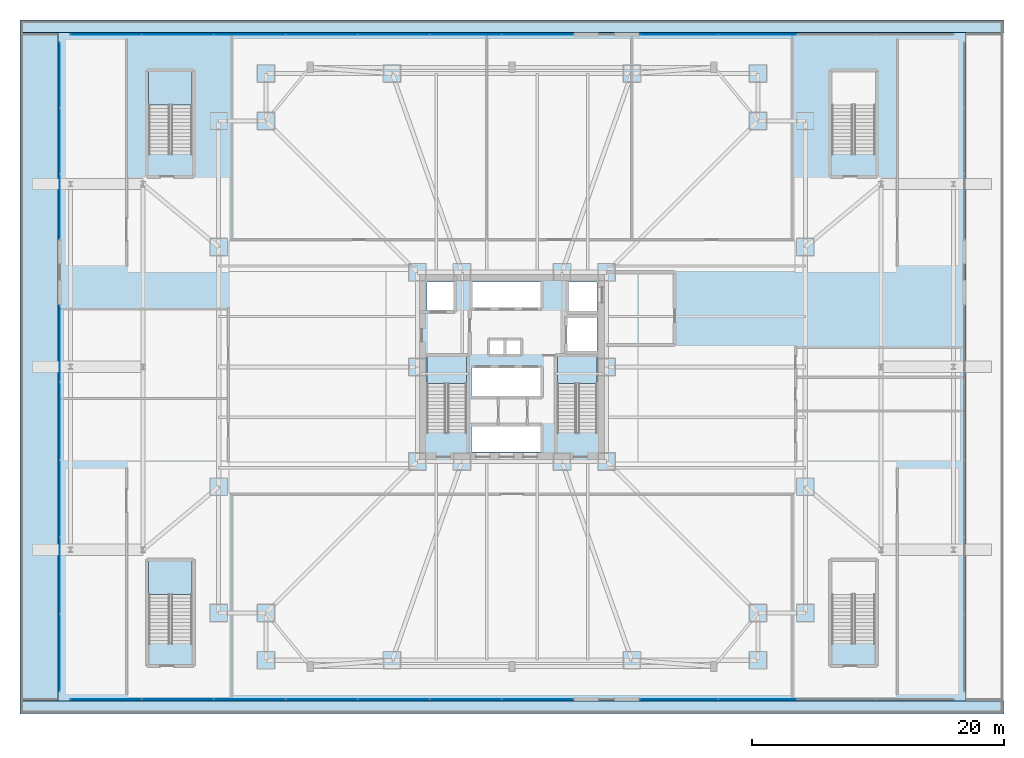
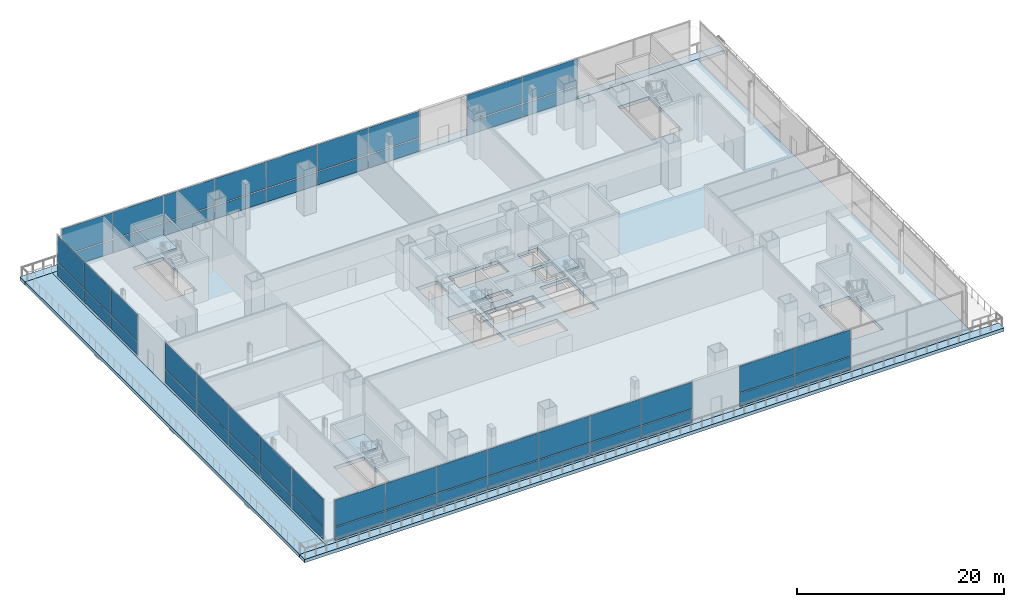
# One storey, part 20 of 35: 52 plates, 8 slabs, 10 elements without a shape of their own.
"""IFC4 building model written with IfcOpenShell, lengths in metres."""

from ifc_helpers import new_model, si_unit, direction, frame, origin, origin_2d, place, context, subcontext, project, spatial, polyline, rectangle, outline, extrude, material, layer, layer_set, type_object, element, aggregate, save


model = new_model("IFC4")

# Units and contexts
model_context = context("Model", 3, precision=1e-05, world=origin(), true_north=direction((0.0, 1.0)))
body_context = subcontext(model_context, "Body", "Model", "MODEL_VIEW")
ifc_project = project(units=[si_unit("LENGTHUNIT", "METRE"), si_unit("AREAUNIT", "SQUARE_METRE"), si_unit("VOLUMEUNIT", "CUBIC_METRE"), si_unit("PLANEANGLEUNIT", "RADIAN"), si_unit("MASSUNIT", "GRAM", prefix="KILO")], contexts=[model_context])

# Site, building, storey
site_placement = place(None, origin())
site = spatial("IfcSite", under=ifc_project, at=site_placement, CompositionType="ELEMENT")
building_placement = place(site_placement, origin())
building = spatial("IfcBuilding", under=site, at=building_placement, Name="Trevonay Congress Spire", CompositionType="ELEMENT")
storey_placement = place(building_placement, frame((0.0, 0.0, 10.800048828125)))
storey = spatial("IfcBuildingStorey", under=building, at=storey_placement, Name="L02", CompositionType="ELEMENT", Elevation=10.800048828125)

# Curtain wall, plates
ifc_material_1 = material(Name="Pale Anodised Aluminium EN AW-6063-T6", Category="aluminium")
ifc_layer_1 = layer(ifc_material_1, 0.179931640625, Name="Pale Anodised Aluminium EN AW-6063-T6")
ifc_layer_set_1 = layer_set([ifc_layer_1], Name="Pale Anodised Aluminium EN AW-6063-T6")
curtain_wall_type = type_object("IfcCurtainWallType", Name="CW-SYS01-PODIUM-PALE-METAL", PredefinedType="NOTDEFINED", material=ifc_layer_set_1)
curtain_wall_1_placement = place(storey_placement, origin())
curtain_wall_1 = element("IfcCurtainWall", 1, at=curtain_wall_1_placement, inside=storey, type_object=curtain_wall_type, Name="L02 W1 podium curtain wall", PredefinedType="NOTDEFINED")
ifc_material_2 = material(Name="Insulated Low-E Vision Glass IGU", Category="glass")
ifc_layer_2 = layer(ifc_material_2, 0.035888671875, Name="Insulated Low-E Vision Glass IGU")
ifc_layer_set_2 = layer_set([ifc_layer_2], Name="Insulated Low-E Vision Glass IGU")
plate_type = type_object("IfcPlateType", Name="CW-PANEL-IGU36-SILVER", PredefinedType="CURTAIN_PANEL", material=ifc_layer_set_2)
plate_1_placement = place(storey_placement, frame((-35.85009765625, -22.669921875, 0.119873046875), z_axis=(0.0, 0.0, 1.0), x_axis=(0.0, 1.0, 0.0)))
plate_1 = element("IfcPlate", 2, at=plate_1_placement, type_object=plate_type, Name="CW01 panel 1.1", PredefinedType="CURTAIN_PANEL", context=body_context, shape_type="SweptSolid", body=[
    extrude(rectangle(XDim=6.0400390625, YDim=0.035888671875, at=origin_2d()), origin(), (0.0, 0.0, 1.0), 1.52001953125),
])
plate_2_placement = place(storey_placement, frame((-35.85009765625, -22.669921875, 1.760009765625), z_axis=(0.0, 0.0, 1.0), x_axis=(0.0, 1.0, 0.0)))
plate_2 = element("IfcPlate", 3, at=plate_2_placement, type_object=plate_type, Name="CW01 panel 1.2", PredefinedType="CURTAIN_PANEL", context=body_context, shape_type="SweptSolid", body=[
    extrude(rectangle(XDim=6.0400390625, YDim=0.035888671875, at=origin_2d()), origin(), (0.0, 0.0, 1.0), 3.1201171875),
])
plate_3_placement = place(storey_placement, frame((-35.85009765625, -16.554931640625, 0.119873046875), z_axis=(0.0, 0.0, 1.0), x_axis=(0.0, 1.0, 0.0)))
plate_3 = element("IfcPlate", 4, at=plate_3_placement, type_object=plate_type, Name="CW01 panel 2.1", PredefinedType="CURTAIN_PANEL", context=body_context, shape_type="SweptSolid", body=[
    extrude(rectangle(XDim=6.070068359375, YDim=0.035888671875, at=origin_2d()), origin(), (0.0, 0.0, 1.0), 1.52001953125),
])
plate_4_placement = place(storey_placement, frame((-35.85009765625, -16.554931640625, 1.760009765625), z_axis=(0.0, 0.0, 1.0), x_axis=(0.0, 1.0, 0.0)))
plate_4 = element("IfcPlate", 5, at=plate_4_placement, type_object=plate_type, Name="CW01 panel 2.2", PredefinedType="CURTAIN_PANEL", context=body_context, shape_type="SweptSolid", body=[
    extrude(rectangle(XDim=6.070068359375, YDim=0.035888671875, at=origin_2d()), origin(), (0.0, 0.0, 1.0), 3.1201171875),
])
plate_5_placement = place(storey_placement, frame((-35.85009765625, -10.425048828125, 0.119873046875), z_axis=(0.0, 0.0, 1.0), x_axis=(0.0, 1.0, 0.0)))
plate_5 = element("IfcPlate", 6, at=plate_5_placement, type_object=plate_type, Name="CW01 panel 3.1", PredefinedType="CURTAIN_PANEL", context=body_context, shape_type="SweptSolid", body=[
    extrude(rectangle(XDim=6.070068359375, YDim=0.035888671875, at=origin_2d()), origin(), (0.0, 0.0, 1.0), 1.52001953125),
])
plate_6_placement = place(storey_placement, frame((-35.85009765625, -10.425048828125, 1.760009765625), z_axis=(0.0, 0.0, 1.0), x_axis=(0.0, 1.0, 0.0)))
plate_6 = element("IfcPlate", 7, at=plate_6_placement, type_object=plate_type, Name="CW01 panel 3.2", PredefinedType="CURTAIN_PANEL", context=body_context, shape_type="SweptSolid", body=[
    extrude(rectangle(XDim=6.070068359375, YDim=0.035888671875, at=origin_2d()), origin(), (0.0, 0.0, 1.0), 3.1201171875),
])
plate_7_placement = place(storey_placement, frame((-35.85009765625, -4.294921875, 0.119873046875), z_axis=(0.0, 0.0, 1.0), x_axis=(0.0, 1.0, 0.0)))
plate_7 = element("IfcPlate", 8, at=plate_7_placement, type_object=plate_type, Name="CW01 panel 4.1", PredefinedType="CURTAIN_PANEL", context=body_context, shape_type="SweptSolid", body=[
    extrude(rectangle(XDim=6.070068359375, YDim=0.035888671875, at=origin_2d()), origin(), (0.0, 0.0, 1.0), 1.52001953125),
])
plate_8_placement = place(storey_placement, frame((-35.85009765625, -4.294921875, 1.760009765625), z_axis=(0.0, 0.0, 1.0), x_axis=(0.0, 1.0, 0.0)))
plate_8 = element("IfcPlate", 9, at=plate_8_placement, type_object=plate_type, Name="CW01 panel 4.2", PredefinedType="CURTAIN_PANEL", context=body_context, shape_type="SweptSolid", body=[
    extrude(rectangle(XDim=6.070068359375, YDim=0.035888671875, at=origin_2d()), origin(), (0.0, 0.0, 1.0), 3.1201171875),
])
plate_9_placement = place(storey_placement, frame((-35.85009765625, 1.820068359375, 0.119873046875), z_axis=(0.0, 0.0, 1.0), x_axis=(0.0, 1.0, 0.0)))
plate_9 = element("IfcPlate", 10, at=plate_9_placement, type_object=plate_type, Name="CW01 panel 5.1", PredefinedType="CURTAIN_PANEL", context=body_context, shape_type="SweptSolid", body=[
    extrude(rectangle(XDim=6.0400390625, YDim=0.035888671875, at=origin_2d()), origin(), (0.0, 0.0, 1.0), 1.52001953125),
])
plate_10_placement = place(storey_placement, frame((-35.85009765625, 1.820068359375, 1.760009765625), z_axis=(0.0, 0.0, 1.0), x_axis=(0.0, 1.0, 0.0)))
plate_10 = element("IfcPlate", 11, at=plate_10_placement, type_object=plate_type, Name="CW01 panel 5.2", PredefinedType="CURTAIN_PANEL", context=body_context, shape_type="SweptSolid", body=[
    extrude(rectangle(XDim=6.0400390625, YDim=0.035888671875, at=origin_2d()), origin(), (0.0, 0.0, 1.0), 3.1201171875),
])
aggregate(curtain_wall_1, [plate_1, plate_2, plate_3, plate_4, plate_5, plate_6, plate_7, plate_8, plate_9, plate_10])

curtain_wall_2_placement = place(storey_placement, origin())
curtain_wall_2 = element("IfcCurtainWall", 12, at=curtain_wall_2_placement, inside=storey, type_object=curtain_wall_type, Name="L02 W2 podium curtain wall", PredefinedType="NOTDEFINED")
plate_11_placement = place(storey_placement, frame((-35.85009765625, 12.723388671875, 0.119873046875), z_axis=(0.0, 0.0, 1.0), x_axis=(0.0, 1.0, 0.0)))
plate_11 = element("IfcPlate", 13, at=plate_11_placement, type_object=plate_type, Name="CW01 panel 1.1", PredefinedType="CURTAIN_PANEL", context=body_context, shape_type="SweptSolid", body=[
    extrude(rectangle(XDim=5.126708984375, YDim=0.035888671875, at=origin_2d()), origin(), (0.0, 0.0, 1.0), 1.52001953125),
])
plate_12_placement = place(storey_placement, frame((-35.85009765625, 12.723388671875, 1.760009765625), z_axis=(0.0, 0.0, 1.0), x_axis=(0.0, 1.0, 0.0)))
plate_12 = element("IfcPlate", 14, at=plate_12_placement, type_object=plate_type, Name="CW01 panel 1.2", PredefinedType="CURTAIN_PANEL", context=body_context, shape_type="SweptSolid", body=[
    extrude(rectangle(XDim=5.126708984375, YDim=0.035888671875, at=origin_2d()), origin(), (0.0, 0.0, 1.0), 3.1201171875),
])
plate_13_placement = place(storey_placement, frame((-35.85009765625, 17.925048828125, 0.119873046875), z_axis=(0.0, 0.0, 1.0), x_axis=(0.0, 1.0, 0.0)))
plate_13 = element("IfcPlate", 15, at=plate_13_placement, type_object=plate_type, Name="CW01 panel 2.1", PredefinedType="CURTAIN_PANEL", context=body_context, shape_type="SweptSolid", body=[
    extrude(rectangle(XDim=5.15673828125, YDim=0.035888671875, at=origin_2d()), origin(), (0.0, 0.0, 1.0), 1.52001953125),
])
plate_14_placement = place(storey_placement, frame((-35.85009765625, 17.925048828125, 1.760009765625), z_axis=(0.0, 0.0, 1.0), x_axis=(0.0, 1.0, 0.0)))
plate_14 = element("IfcPlate", 16, at=plate_14_placement, type_object=plate_type, Name="CW01 panel 2.2", PredefinedType="CURTAIN_PANEL", context=body_context, shape_type="SweptSolid", body=[
    extrude(rectangle(XDim=5.15673828125, YDim=0.035888671875, at=origin_2d()), origin(), (0.0, 0.0, 1.0), 3.1201171875),
])
plate_15_placement = place(storey_placement, frame((-35.85009765625, 23.126708984375, 0.119873046875), z_axis=(0.0, 0.0, 1.0), x_axis=(0.0, 1.0, 0.0)))
plate_15 = element("IfcPlate", 17, at=plate_15_placement, type_object=plate_type, Name="CW01 panel 3.1", PredefinedType="CURTAIN_PANEL", context=body_context, shape_type="SweptSolid", body=[
    extrude(rectangle(XDim=5.126708984375, YDim=0.035888671875, at=origin_2d()), origin(), (0.0, 0.0, 1.0), 1.52001953125),
])
plate_16_placement = place(storey_placement, frame((-35.85009765625, 23.126708984375, 1.760009765625), z_axis=(0.0, 0.0, 1.0), x_axis=(0.0, 1.0, 0.0)))
plate_16 = element("IfcPlate", 18, at=plate_16_placement, type_object=plate_type, Name="CW01 panel 3.2", PredefinedType="CURTAIN_PANEL", context=body_context, shape_type="SweptSolid", body=[
    extrude(rectangle(XDim=5.126708984375, YDim=0.035888671875, at=origin_2d()), origin(), (0.0, 0.0, 1.0), 3.1201171875),
])
aggregate(curtain_wall_2, [plate_11, plate_12, plate_13, plate_14, plate_15, plate_16])

curtain_wall_3_placement = place(storey_placement, origin())
curtain_wall_3 = element("IfcCurtainWall", 19, at=curtain_wall_3_placement, inside=storey, type_object=curtain_wall_type, Name="L02 S1 podium curtain wall", PredefinedType="NOTDEFINED")
plate_17_placement = place(storey_placement, frame((-32.181396484375, -26.35009765625, 0.119873046875), z_axis=(0.0, 0.0, 1.0), x_axis=(1.0, 0.0, 0.0)))
plate_17 = element("IfcPlate", 20, at=plate_17_placement, type_object=plate_type, Name="CW01 panel 1.1", PredefinedType="CURTAIN_PANEL", context=body_context, shape_type="SweptSolid", body=[
    extrude(rectangle(XDim=5.6171875, YDim=0.035888671875, at=origin_2d()), origin(), (0.0, 0.0, 1.0), 1.52001953125),
])
plate_18_placement = place(storey_placement, frame((-32.181396484375, -26.35009765625, 1.760009765625), z_axis=(0.0, 0.0, 1.0), x_axis=(1.0, 0.0, 0.0)))
plate_18 = element("IfcPlate", 21, at=plate_18_placement, type_object=plate_type, Name="CW01 panel 1.2", PredefinedType="CURTAIN_PANEL", context=body_context, shape_type="SweptSolid", body=[
    extrude(rectangle(XDim=5.6171875, YDim=0.035888671875, at=origin_2d()), origin(), (0.0, 0.0, 1.0), 3.1201171875),
])
plate_19_placement = place(storey_placement, frame((-26.4892578125, -26.35009765625, 0.119873046875), z_axis=(0.0, 0.0, 1.0), x_axis=(1.0, 0.0, 0.0)))
plate_19 = element("IfcPlate", 22, at=plate_19_placement, type_object=plate_type, Name="CW01 panel 2.1", PredefinedType="CURTAIN_PANEL", context=body_context, shape_type="SweptSolid", body=[
    extrude(rectangle(XDim=5.647216796875, YDim=0.035888671875, at=origin_2d()), origin(), (0.0, 0.0, 1.0), 1.52001953125),
])
plate_20_placement = place(storey_placement, frame((-26.4892578125, -26.35009765625, 1.760009765625), z_axis=(0.0, 0.0, 1.0), x_axis=(1.0, 0.0, 0.0)))
plate_20 = element("IfcPlate", 23, at=plate_20_placement, type_object=plate_type, Name="CW01 panel 2.2", PredefinedType="CURTAIN_PANEL", context=body_context, shape_type="SweptSolid", body=[
    extrude(rectangle(XDim=5.647216796875, YDim=0.035888671875, at=origin_2d()), origin(), (0.0, 0.0, 1.0), 3.1201171875),
])
plate_21_placement = place(storey_placement, frame((-20.7822265625, -26.35009765625, 0.119873046875), z_axis=(0.0, 0.0, 1.0), x_axis=(1.0, 0.0, 0.0)))
plate_21 = element("IfcPlate", 24, at=plate_21_placement, type_object=plate_type, Name="CW01 panel 3.1", PredefinedType="CURTAIN_PANEL", context=body_context, shape_type="SweptSolid", body=[
    extrude(rectangle(XDim=5.647216796875, YDim=0.035888671875, at=origin_2d()), origin(), (0.0, 0.0, 1.0), 1.52001953125),
])
plate_22_placement = place(storey_placement, frame((-20.7822265625, -26.35009765625, 1.760009765625), z_axis=(0.0, 0.0, 1.0), x_axis=(1.0, 0.0, 0.0)))
plate_22 = element("IfcPlate", 25, at=plate_22_placement, type_object=plate_type, Name="CW01 panel 3.2", PredefinedType="CURTAIN_PANEL", context=body_context, shape_type="SweptSolid", body=[
    extrude(rectangle(XDim=5.647216796875, YDim=0.035888671875, at=origin_2d()), origin(), (0.0, 0.0, 1.0), 3.1201171875),
])
plate_23_placement = place(storey_placement, frame((-15.074951171875, -26.35009765625, 0.119873046875), z_axis=(0.0, 0.0, 1.0), x_axis=(1.0, 0.0, 0.0)))
plate_23 = element("IfcPlate", 26, at=plate_23_placement, type_object=plate_type, Name="CW01 panel 4.1", PredefinedType="CURTAIN_PANEL", context=body_context, shape_type="SweptSolid", body=[
    extrude(rectangle(XDim=5.647216796875, YDim=0.035888671875, at=origin_2d()), origin(), (0.0, 0.0, 1.0), 1.52001953125),
])
plate_24_placement = place(storey_placement, frame((-15.074951171875, -26.35009765625, 1.760009765625), z_axis=(0.0, 0.0, 1.0), x_axis=(1.0, 0.0, 0.0)))
plate_24 = element("IfcPlate", 27, at=plate_24_placement, type_object=plate_type, Name="CW01 panel 4.2", PredefinedType="CURTAIN_PANEL", context=body_context, shape_type="SweptSolid", body=[
    extrude(rectangle(XDim=5.647216796875, YDim=0.035888671875, at=origin_2d()), origin(), (0.0, 0.0, 1.0), 3.1201171875),
])
plate_25_placement = place(storey_placement, frame((-9.367919921875, -26.35009765625, 0.119873046875), z_axis=(0.0, 0.0, 1.0), x_axis=(1.0, 0.0, 0.0)))
plate_25 = element("IfcPlate", 28, at=plate_25_placement, type_object=plate_type, Name="CW01 panel 5.1", PredefinedType="CURTAIN_PANEL", context=body_context, shape_type="SweptSolid", body=[
    extrude(rectangle(XDim=5.647216796875, YDim=0.035888671875, at=origin_2d()), origin(), (0.0, 0.0, 1.0), 1.52001953125),
])
plate_26_placement = place(storey_placement, frame((-9.367919921875, -26.35009765625, 1.760009765625), z_axis=(0.0, 0.0, 1.0), x_axis=(1.0, 0.0, 0.0)))
plate_26 = element("IfcPlate", 29, at=plate_26_placement, type_object=plate_type, Name="CW01 panel 5.2", PredefinedType="CURTAIN_PANEL", context=body_context, shape_type="SweptSolid", body=[
    extrude(rectangle(XDim=5.647216796875, YDim=0.035888671875, at=origin_2d()), origin(), (0.0, 0.0, 1.0), 3.1201171875),
])
plate_27_placement = place(storey_placement, frame((-3.66064453125, -26.35009765625, 0.119873046875), z_axis=(0.0, 0.0, 1.0), x_axis=(1.0, 0.0, 0.0)))
plate_27 = element("IfcPlate", 30, at=plate_27_placement, type_object=plate_type, Name="CW01 panel 6.1", PredefinedType="CURTAIN_PANEL", context=body_context, shape_type="SweptSolid", body=[
    extrude(rectangle(XDim=5.647216796875, YDim=0.035888671875, at=origin_2d()), origin(), (0.0, 0.0, 1.0), 1.52001953125),
])
plate_28_placement = place(storey_placement, frame((-3.66064453125, -26.35009765625, 1.760009765625), z_axis=(0.0, 0.0, 1.0), x_axis=(1.0, 0.0, 0.0)))
plate_28 = element("IfcPlate", 31, at=plate_28_placement, type_object=plate_type, Name="CW01 panel 6.2", PredefinedType="CURTAIN_PANEL", context=body_context, shape_type="SweptSolid", body=[
    extrude(rectangle(XDim=5.647216796875, YDim=0.035888671875, at=origin_2d()), origin(), (0.0, 0.0, 1.0), 3.1201171875),
])
plate_29_placement = place(storey_placement, frame((2.031494140625, -26.35009765625, 0.119873046875), z_axis=(0.0, 0.0, 1.0), x_axis=(1.0, 0.0, 0.0)))
plate_29 = element("IfcPlate", 32, at=plate_29_placement, type_object=plate_type, Name="CW01 panel 7.1", PredefinedType="CURTAIN_PANEL", context=body_context, shape_type="SweptSolid", body=[
    extrude(rectangle(XDim=5.6171875, YDim=0.035888671875, at=origin_2d()), origin(), (0.0, 0.0, 1.0), 1.52001953125),
])
plate_30_placement = place(storey_placement, frame((2.031494140625, -26.35009765625, 1.760009765625), z_axis=(0.0, 0.0, 1.0), x_axis=(1.0, 0.0, 0.0)))
plate_30 = element("IfcPlate", 33, at=plate_30_placement, type_object=plate_type, Name="CW01 panel 7.2", PredefinedType="CURTAIN_PANEL", context=body_context, shape_type="SweptSolid", body=[
    extrude(rectangle(XDim=5.6171875, YDim=0.035888671875, at=origin_2d()), origin(), (0.0, 0.0, 1.0), 3.1201171875),
])
aggregate(curtain_wall_3, [plate_17, plate_18, plate_19, plate_20, plate_21, plate_22, plate_23, plate_24, plate_25, plate_26, plate_27, plate_28, plate_29, plate_30])

curtain_wall_4_placement = place(storey_placement, origin())
curtain_wall_4 = element("IfcCurtainWall", 34, at=curtain_wall_4_placement, inside=storey, type_object=curtain_wall_type, Name="L02 S2 podium curtain wall", PredefinedType="NOTDEFINED")
plate_31_placement = place(storey_placement, frame((13.233642578125, -26.35009765625, 0.119873046875), z_axis=(0.0, 0.0, 1.0), x_axis=(1.0, 0.0, 0.0)))
plate_31 = element("IfcPlate", 35, at=plate_31_placement, type_object=plate_type, Name="CW01 panel 1.1", PredefinedType="CURTAIN_PANEL", context=body_context, shape_type="SweptSolid", body=[
    extrude(rectangle(XDim=6.1474609375, YDim=0.035888671875, at=origin_2d()), origin(), (0.0, 0.0, 1.0), 1.52001953125),
])
plate_32_placement = place(storey_placement, frame((13.233642578125, -26.35009765625, 1.760009765625), z_axis=(0.0, 0.0, 1.0), x_axis=(1.0, 0.0, 0.0)))
plate_32 = element("IfcPlate", 36, at=plate_32_placement, type_object=plate_type, Name="CW01 panel 1.2", PredefinedType="CURTAIN_PANEL", context=body_context, shape_type="SweptSolid", body=[
    extrude(rectangle(XDim=6.1474609375, YDim=0.035888671875, at=origin_2d()), origin(), (0.0, 0.0, 1.0), 3.1201171875),
])
plate_33_placement = place(storey_placement, frame((19.456298828125, -26.35009765625, 0.119873046875), z_axis=(0.0, 0.0, 1.0), x_axis=(1.0, 0.0, 0.0)))
plate_33 = element("IfcPlate", 37, at=plate_33_placement, type_object=plate_type, Name="CW01 panel 2.1", PredefinedType="CURTAIN_PANEL", context=body_context, shape_type="SweptSolid", body=[
    extrude(rectangle(XDim=6.177490234375, YDim=0.035888671875, at=origin_2d()), origin(), (0.0, 0.0, 1.0), 1.52001953125),
])
plate_34_placement = place(storey_placement, frame((19.456298828125, -26.35009765625, 1.760009765625), z_axis=(0.0, 0.0, 1.0), x_axis=(1.0, 0.0, 0.0)))
plate_34 = element("IfcPlate", 38, at=plate_34_placement, type_object=plate_type, Name="CW01 panel 2.2", PredefinedType="CURTAIN_PANEL", context=body_context, shape_type="SweptSolid", body=[
    extrude(rectangle(XDim=6.177490234375, YDim=0.035888671875, at=origin_2d()), origin(), (0.0, 0.0, 1.0), 3.1201171875),
])
aggregate(curtain_wall_4, [plate_31, plate_32, plate_33, plate_34])

curtain_wall_5_placement = place(storey_placement, origin())
curtain_wall_5 = element("IfcCurtainWall", 39, at=curtain_wall_5_placement, inside=storey, type_object=curtain_wall_type, Name="L02 N1 podium curtain wall", PredefinedType="NOTDEFINED")
plate_35_placement = place(storey_placement, frame((-32.181396484375, 26.35009765625, 0.119873046875), z_axis=(0.0, 0.0, 1.0), x_axis=(1.0, 0.0, 0.0)))
plate_35 = element("IfcPlate", 40, at=plate_35_placement, type_object=plate_type, Name="CW01 panel 1.1", PredefinedType="CURTAIN_PANEL", context=body_context, shape_type="SweptSolid", body=[
    extrude(rectangle(XDim=5.6171875, YDim=0.035888671875, at=origin_2d()), origin(), (0.0, 0.0, 1.0), 1.52001953125),
])
plate_36_placement = place(storey_placement, frame((-32.181396484375, 26.35009765625, 1.760009765625), z_axis=(0.0, 0.0, 1.0), x_axis=(1.0, 0.0, 0.0)))
plate_36 = element("IfcPlate", 41, at=plate_36_placement, type_object=plate_type, Name="CW01 panel 1.2", PredefinedType="CURTAIN_PANEL", context=body_context, shape_type="SweptSolid", body=[
    extrude(rectangle(XDim=5.6171875, YDim=0.035888671875, at=origin_2d()), origin(), (0.0, 0.0, 1.0), 3.1201171875),
])
plate_37_placement = place(storey_placement, frame((-26.4892578125, 26.35009765625, 0.119873046875), z_axis=(0.0, 0.0, 1.0), x_axis=(1.0, 0.0, 0.0)))
plate_37 = element("IfcPlate", 42, at=plate_37_placement, type_object=plate_type, Name="CW01 panel 2.1", PredefinedType="CURTAIN_PANEL", context=body_context, shape_type="SweptSolid", body=[
    extrude(rectangle(XDim=5.647216796875, YDim=0.035888671875, at=origin_2d()), origin(), (0.0, 0.0, 1.0), 1.52001953125),
])
plate_38_placement = place(storey_placement, frame((-26.4892578125, 26.35009765625, 1.760009765625), z_axis=(0.0, 0.0, 1.0), x_axis=(1.0, 0.0, 0.0)))
plate_38 = element("IfcPlate", 43, at=plate_38_placement, type_object=plate_type, Name="CW01 panel 2.2", PredefinedType="CURTAIN_PANEL", context=body_context, shape_type="SweptSolid", body=[
    extrude(rectangle(XDim=5.647216796875, YDim=0.035888671875, at=origin_2d()), origin(), (0.0, 0.0, 1.0), 3.1201171875),
])
plate_39_placement = place(storey_placement, frame((-20.7822265625, 26.35009765625, 0.119873046875), z_axis=(0.0, 0.0, 1.0), x_axis=(1.0, 0.0, 0.0)))
plate_39 = element("IfcPlate", 44, at=plate_39_placement, type_object=plate_type, Name="CW01 panel 3.1", PredefinedType="CURTAIN_PANEL", context=body_context, shape_type="SweptSolid", body=[
    extrude(rectangle(XDim=5.647216796875, YDim=0.035888671875, at=origin_2d()), origin(), (0.0, 0.0, 1.0), 1.52001953125),
])
plate_40_placement = place(storey_placement, frame((-20.7822265625, 26.35009765625, 1.760009765625), z_axis=(0.0, 0.0, 1.0), x_axis=(1.0, 0.0, 0.0)))
plate_40 = element("IfcPlate", 45, at=plate_40_placement, type_object=plate_type, Name="CW01 panel 3.2", PredefinedType="CURTAIN_PANEL", context=body_context, shape_type="SweptSolid", body=[
    extrude(rectangle(XDim=5.647216796875, YDim=0.035888671875, at=origin_2d()), origin(), (0.0, 0.0, 1.0), 3.1201171875),
])
plate_41_placement = place(storey_placement, frame((-15.074951171875, 26.35009765625, 0.119873046875), z_axis=(0.0, 0.0, 1.0), x_axis=(1.0, 0.0, 0.0)))
plate_41 = element("IfcPlate", 46, at=plate_41_placement, type_object=plate_type, Name="CW01 panel 4.1", PredefinedType="CURTAIN_PANEL", context=body_context, shape_type="SweptSolid", body=[
    extrude(rectangle(XDim=5.647216796875, YDim=0.035888671875, at=origin_2d()), origin(), (0.0, 0.0, 1.0), 1.52001953125),
])
plate_42_placement = place(storey_placement, frame((-15.074951171875, 26.35009765625, 1.760009765625), z_axis=(0.0, 0.0, 1.0), x_axis=(1.0, 0.0, 0.0)))
plate_42 = element("IfcPlate", 47, at=plate_42_placement, type_object=plate_type, Name="CW01 panel 4.2", PredefinedType="CURTAIN_PANEL", context=body_context, shape_type="SweptSolid", body=[
    extrude(rectangle(XDim=5.647216796875, YDim=0.035888671875, at=origin_2d()), origin(), (0.0, 0.0, 1.0), 3.1201171875),
])
plate_43_placement = place(storey_placement, frame((-9.367919921875, 26.35009765625, 0.119873046875), z_axis=(0.0, 0.0, 1.0), x_axis=(1.0, 0.0, 0.0)))
plate_43 = element("IfcPlate", 48, at=plate_43_placement, type_object=plate_type, Name="CW01 panel 5.1", PredefinedType="CURTAIN_PANEL", context=body_context, shape_type="SweptSolid", body=[
    extrude(rectangle(XDim=5.647216796875, YDim=0.035888671875, at=origin_2d()), origin(), (0.0, 0.0, 1.0), 1.52001953125),
])
plate_44_placement = place(storey_placement, frame((-9.367919921875, 26.35009765625, 1.760009765625), z_axis=(0.0, 0.0, 1.0), x_axis=(1.0, 0.0, 0.0)))
plate_44 = element("IfcPlate", 49, at=plate_44_placement, type_object=plate_type, Name="CW01 panel 5.2", PredefinedType="CURTAIN_PANEL", context=body_context, shape_type="SweptSolid", body=[
    extrude(rectangle(XDim=5.647216796875, YDim=0.035888671875, at=origin_2d()), origin(), (0.0, 0.0, 1.0), 3.1201171875),
])
plate_45_placement = place(storey_placement, frame((-3.66064453125, 26.35009765625, 0.119873046875), z_axis=(0.0, 0.0, 1.0), x_axis=(1.0, 0.0, 0.0)))
plate_45 = element("IfcPlate", 50, at=plate_45_placement, type_object=plate_type, Name="CW01 panel 6.1", PredefinedType="CURTAIN_PANEL", context=body_context, shape_type="SweptSolid", body=[
    extrude(rectangle(XDim=5.647216796875, YDim=0.035888671875, at=origin_2d()), origin(), (0.0, 0.0, 1.0), 1.52001953125),
])
plate_46_placement = place(storey_placement, frame((-3.66064453125, 26.35009765625, 1.760009765625), z_axis=(0.0, 0.0, 1.0), x_axis=(1.0, 0.0, 0.0)))
plate_46 = element("IfcPlate", 51, at=plate_46_placement, type_object=plate_type, Name="CW01 panel 6.2", PredefinedType="CURTAIN_PANEL", context=body_context, shape_type="SweptSolid", body=[
    extrude(rectangle(XDim=5.647216796875, YDim=0.035888671875, at=origin_2d()), origin(), (0.0, 0.0, 1.0), 3.1201171875),
])
plate_47_placement = place(storey_placement, frame((2.031494140625, 26.35009765625, 0.119873046875), z_axis=(0.0, 0.0, 1.0), x_axis=(1.0, 0.0, 0.0)))
plate_47 = element("IfcPlate", 52, at=plate_47_placement, type_object=plate_type, Name="CW01 panel 7.1", PredefinedType="CURTAIN_PANEL", context=body_context, shape_type="SweptSolid", body=[
    extrude(rectangle(XDim=5.6171875, YDim=0.035888671875, at=origin_2d()), origin(), (0.0, 0.0, 1.0), 1.52001953125),
])
plate_48_placement = place(storey_placement, frame((2.031494140625, 26.35009765625, 1.760009765625), z_axis=(0.0, 0.0, 1.0), x_axis=(1.0, 0.0, 0.0)))
plate_48 = element("IfcPlate", 53, at=plate_48_placement, type_object=plate_type, Name="CW01 panel 7.2", PredefinedType="CURTAIN_PANEL", context=body_context, shape_type="SweptSolid", body=[
    extrude(rectangle(XDim=5.6171875, YDim=0.035888671875, at=origin_2d()), origin(), (0.0, 0.0, 1.0), 3.1201171875),
])
aggregate(curtain_wall_5, [plate_35, plate_36, plate_37, plate_38, plate_39, plate_40, plate_41, plate_42, plate_43, plate_44, plate_45, plate_46, plate_47, plate_48])

curtain_wall_6_placement = place(storey_placement, origin())
curtain_wall_6 = element("IfcCurtainWall", 54, at=curtain_wall_6_placement, inside=storey, type_object=curtain_wall_type, Name="L02 N2 podium curtain wall", PredefinedType="NOTDEFINED")
plate_49_placement = place(storey_placement, frame((13.233642578125, 26.35009765625, 0.119873046875), z_axis=(0.0, 0.0, 1.0), x_axis=(1.0, 0.0, 0.0)))
plate_49 = element("IfcPlate", 55, at=plate_49_placement, type_object=plate_type, Name="CW01 panel 1.1", PredefinedType="CURTAIN_PANEL", context=body_context, shape_type="SweptSolid", body=[
    extrude(rectangle(XDim=6.1474609375, YDim=0.035888671875, at=origin_2d()), origin(), (0.0, 0.0, 1.0), 1.52001953125),
])
plate_50_placement = place(storey_placement, frame((13.233642578125, 26.35009765625, 1.760009765625), z_axis=(0.0, 0.0, 1.0), x_axis=(1.0, 0.0, 0.0)))
plate_50 = element("IfcPlate", 56, at=plate_50_placement, type_object=plate_type, Name="CW01 panel 1.2", PredefinedType="CURTAIN_PANEL", context=body_context, shape_type="SweptSolid", body=[
    extrude(rectangle(XDim=6.1474609375, YDim=0.035888671875, at=origin_2d()), origin(), (0.0, 0.0, 1.0), 3.1201171875),
])
plate_51_placement = place(storey_placement, frame((19.456298828125, 26.35009765625, 0.119873046875), z_axis=(0.0, 0.0, 1.0), x_axis=(1.0, 0.0, 0.0)))
plate_51 = element("IfcPlate", 57, at=plate_51_placement, type_object=plate_type, Name="CW01 panel 2.1", PredefinedType="CURTAIN_PANEL", context=body_context, shape_type="SweptSolid", body=[
    extrude(rectangle(XDim=6.177490234375, YDim=0.035888671875, at=origin_2d()), origin(), (0.0, 0.0, 1.0), 1.52001953125),
])
plate_52_placement = place(storey_placement, frame((19.456298828125, 26.35009765625, 1.760009765625), z_axis=(0.0, 0.0, 1.0), x_axis=(1.0, 0.0, 0.0)))
plate_52 = element("IfcPlate", 58, at=plate_52_placement, type_object=plate_type, Name="CW01 panel 2.2", PredefinedType="CURTAIN_PANEL", context=body_context, shape_type="SweptSolid", body=[
    extrude(rectangle(XDim=6.177490234375, YDim=0.035888671875, at=origin_2d()), origin(), (0.0, 0.0, 1.0), 3.1201171875),
])
aggregate(curtain_wall_6, [plate_49, plate_50, plate_51, plate_52])

# Stair, slab
ifc_material_3 = material(Name="Concrete C40/50", Category="concrete")
stair_type_1 = type_object("IfcStairType", Name="STR-ST-1", PredefinedType="HALF_TURN_STAIR", material=ifc_material_3)
stair_1_placement = place(storey_placement, origin())
stair_1 = element("IfcStair", 59, at=stair_1_placement, inside=storey, type_object=stair_type_1, Name="L02 Protected Exit Stair ST-1", PredefinedType="HALF_TURN_STAIR")
ifc_layer_3 = layer(ifc_material_3, 0.199951171875, Name="Concrete C40/50")
ifc_layer_set_3 = layer_set([ifc_layer_3], Name="Concrete C40/50")
slab_type_1 = type_object("IfcSlabType", Name="SLB-STAIR-LAND-200", PredefinedType="LANDING", material=ifc_layer_set_3)
slab_1_placement = place(storey_placement, frame((0.0, 0.0, 2.5)))
slab_1 = element("IfcSlab", 60, at=slab_1_placement, type_object=slab_type_1, Name="ST-1 landing 1", PredefinedType="LANDING", context=body_context, shape_type="SweptSolid", body=[
    extrude(outline(polyline([(-3.60009765625, -1.330078125), (-3.60009765625, 0.85009765625), (-6.75, 0.85009765625), (-6.75, -1.330078125), (-3.60009765625, -1.330078125)])), origin(), (0.0, 0.0, 1.0), 0.199951171875),
])
aggregate(stair_1, [slab_1])

stair_type_2 = type_object("IfcStairType", Name="STR-ST-2", PredefinedType="HALF_TURN_STAIR", material=ifc_material_3)
stair_2_placement = place(storey_placement, origin())
stair_2 = element("IfcStair", 61, at=stair_2_placement, inside=storey, type_object=stair_type_2, Name="L02 Protected Exit Stair ST-2", PredefinedType="HALF_TURN_STAIR")
slab_2_placement = place(storey_placement, frame((0.0, 0.0, 2.5)))
slab_2 = element("IfcSlab", 62, at=slab_2_placement, type_object=slab_type_1, Name="ST-2 landing 1", PredefinedType="LANDING", context=body_context, shape_type="SweptSolid", body=[
    extrude(outline(polyline([(6.75, -1.330078125), (6.75, 0.85009765625), (3.60009765625, 0.85009765625), (3.60009765625, -1.330078125), (6.75, -1.330078125)])), origin(), (0.0, 0.0, 1.0), 0.199951171875),
])
aggregate(stair_2, [slab_2])

stair_type_3 = type_object("IfcStairType", Name="STR-ST-3", PredefinedType="HALF_TURN_STAIR", material=ifc_material_3)
stair_3_placement = place(storey_placement, origin())
stair_3 = element("IfcStair", 63, at=stair_3_placement, inside=storey, type_object=stair_type_3, Name="L02 Protected Exit Stair ST-3", PredefinedType="HALF_TURN_STAIR")
slab_3_placement = place(storey_placement, frame((0.0, 0.0, 2.5)))
slab_3 = element("IfcSlab", 64, at=slab_3_placement, type_object=slab_type_1, Name="ST-3 landing 1", PredefinedType="LANDING", context=body_context, shape_type="SweptSolid", body=[
    extrude(outline(polyline([(-25.35009765625, -18.030029296875), (-25.35009765625, -15.39990234375), (-28.800048828125, -15.39990234375), (-28.800048828125, -18.030029296875), (-25.35009765625, -18.030029296875)])), origin(), (0.0, 0.0, 1.0), 0.199951171875),
])
aggregate(stair_3, [slab_3])

stair_type_4 = type_object("IfcStairType", Name="STR-ST-5", PredefinedType="HALF_TURN_STAIR", material=ifc_material_3)
stair_4_placement = place(storey_placement, origin())
stair_4 = element("IfcStair", 65, at=stair_4_placement, inside=storey, type_object=stair_type_4, Name="L02 Protected Exit Stair ST-5", PredefinedType="HALF_TURN_STAIR")
slab_4_placement = place(storey_placement, frame((0.0, 0.0, 2.5)))
slab_4 = element("IfcSlab", 66, at=slab_4_placement, type_object=slab_type_1, Name="ST-5 landing 1", PredefinedType="LANDING", context=body_context, shape_type="SweptSolid", body=[
    extrude(outline(polyline([(-25.35009765625, 20.77001953125), (-25.35009765625, 23.39990234375), (-28.800048828125, 23.39990234375), (-28.800048828125, 20.77001953125), (-25.35009765625, 20.77001953125)])), origin(), (0.0, 0.0, 1.0), 0.199951171875),
])
aggregate(stair_4, [slab_4])

# Slabs
ifc_layer_4 = layer(ifc_material_3, 0.39990234375, Name="Concrete C40/50")
ifc_layer_set_4 = layer_set([ifc_layer_4], Name="Concrete C40/50")
slab_type_2 = type_object("IfcSlabType", Name="SLB-TERR-260", PredefinedType="ROOF", material=ifc_layer_set_4)
slab_5_placement = place(storey_placement, frame((0.0, 0.0, -0.400146484375)))
element("IfcSlab", 67, at=slab_5_placement, inside=storey, type_object=slab_type_2, Name="L02 West stepped podium roof terrace", PredefinedType="ROOF", context=body_context, shape_type="SweptSolid", body=[
    extrude(outline(polyline([(-39.0, -26.5), (-36.0, -26.5), (-36.0, 26.5), (-39.0, 26.5), (-39.0, -26.5)])), origin(), (0.0, 0.0, 1.0), 0.400146484375),
])
slab_6_placement = place(storey_placement, frame((0.0, 0.0, -0.400146484375)))
element("IfcSlab", 68, at=slab_6_placement, inside=storey, type_object=slab_type_2, Name="L02 South stepped podium roof terrace", PredefinedType="ROOF", context=body_context, shape_type="SweptSolid", body=[
    extrude(outline(polyline([(-39.0, -27.5), (39.0, -27.5), (39.0, -26.5), (-39.0, -26.5), (-39.0, -27.5)])), origin(), (0.0, 0.0, 1.0), 0.400146484375),
])
slab_7_placement = place(storey_placement, frame((0.0, 0.0, -0.400146484375)))
element("IfcSlab", 69, at=slab_7_placement, inside=storey, type_object=slab_type_2, Name="L02 North stepped podium roof terrace", PredefinedType="ROOF", context=body_context, shape_type="SweptSolid", body=[
    extrude(outline(polyline([(-39.0, 26.5), (39.0, 26.5), (39.0, 27.5), (-39.0, 27.5), (-39.0, 26.5)])), origin(), (0.0, 0.0, 1.0), 0.400146484375),
])
ifc_layer_5 = layer(ifc_material_3, 0.39990234375, Name="Concrete C40/50")
ifc_layer_set_5 = layer_set([ifc_layer_5], Name="Concrete C40/50")
slab_type_3 = type_object("IfcSlabType", Name="SLB-XFER-400", PredefinedType="FLOOR", material=ifc_layer_set_5)
slab_8_placement = place(storey_placement, frame((0.0, 0.0, -0.400146484375)))
element("IfcSlab", 70, at=slab_8_placement, inside=storey, type_object=slab_type_3, Name="L02 structural floor slab", PredefinedType="FLOOR", context=body_context, shape_type="SweptSolid", body=[
    extrude(outline(polyline([(-36.0, -26.5), (36.0, -26.5), (36.0, 26.5), (-36.0, 26.5), (-36.0, -26.5)]), holes=[polyline([(-3.60009765625, -5.14990234375), (-3.60009765625, 0.85009765625), (-6.75, 0.85009765625), (-6.75, -5.14990234375), (-3.60009765625, -5.14990234375)]), polyline([(6.75, -5.14990234375), (6.75, 0.85009765625), (3.60009765625, 0.85009765625), (3.60009765625, -5.14990234375), (6.75, -5.14990234375)]), polyline([(-25.35009765625, -21.85009765625), (-25.35009765625, -15.39990234375), (-28.800048828125, -15.39990234375), (-28.800048828125, -21.85009765625), (-25.35009765625, -21.85009765625)]), polyline([(28.800048828125, -21.85009765625), (28.800048828125, -15.39990234375), (25.35009765625, -15.39990234375), (25.35009765625, -21.85009765625), (28.800048828125, -21.85009765625)]), polyline([(-25.35009765625, 16.949951171875), (-25.35009765625, 23.39990234375), (-28.800048828125, 23.39990234375), (-28.800048828125, 16.949951171875), (-25.35009765625, 16.949951171875)]), polyline([(28.800048828125, 16.949951171875), (28.800048828125, 23.39990234375), (25.35009765625, 23.39990234375), (25.35009765625, 16.949951171875), (28.800048828125, 16.949951171875)]), polyline([(-3.199951171875, -6.75), (2.340087890625, -6.75), (2.340087890625, -4.64990234375), (-3.199951171875, -4.64990234375), (-3.199951171875, -6.75)]), polyline([(-3.199951171875, -2.35009765625), (2.340087890625, -2.35009765625), (2.340087890625, -0.050048828125), (-3.199951171875, -0.050048828125), (-3.199951171875, -2.35009765625)]), polyline([(-3.199951171875, 4.64990234375), (2.340087890625, 4.64990234375), (2.340087890625, 6.75), (-3.199951171875, 6.75), (-3.199951171875, 4.64990234375)]), polyline([(-6.75, 4.35009765625), (-4.449951171875, 4.35009765625), (-4.449951171875, 6.75), (-6.75, 6.75), (-6.75, 4.35009765625)]), polyline([(4.449951171875, 4.35009765625), (6.75, 4.35009765625), (6.75, 6.75), (4.449951171875, 6.75), (4.449951171875, 4.35009765625)]), polyline([(4.35009765625, 1.199951171875), (6.75, 1.199951171875), (6.75, 3.949951171875), (4.35009765625, 3.949951171875), (4.35009765625, 1.199951171875)]), polyline([(-1.800048828125, 0.949951171875), (0.699951171875, 0.949951171875), (0.699951171875, 2.14990234375), (-1.800048828125, 2.14990234375), (-1.800048828125, 0.949951171875)])]), origin(), (0.0, 0.0, 1.0), 0.400146484375),
])

save(model, "model.ifc")
